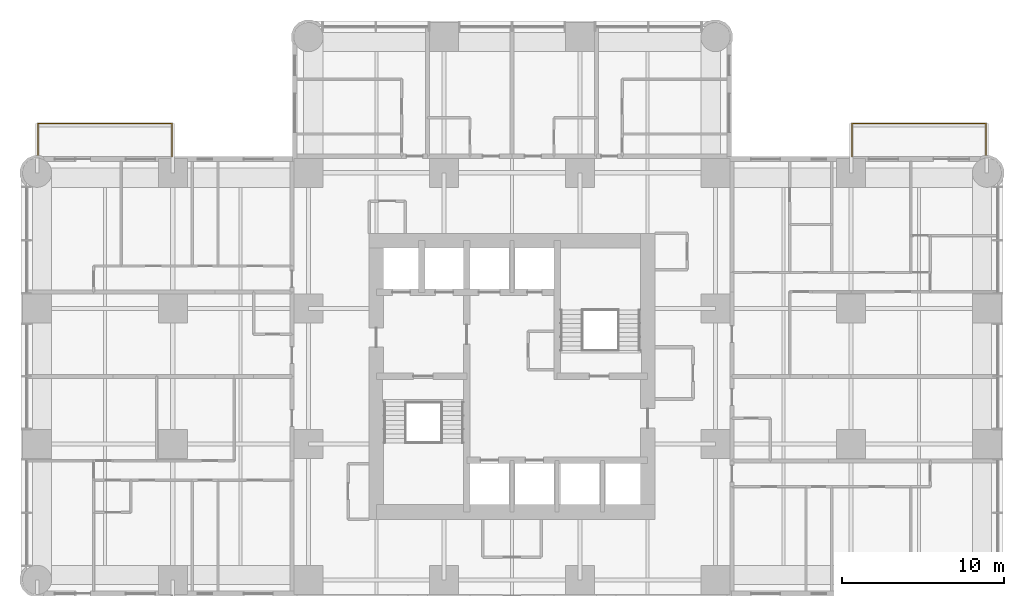
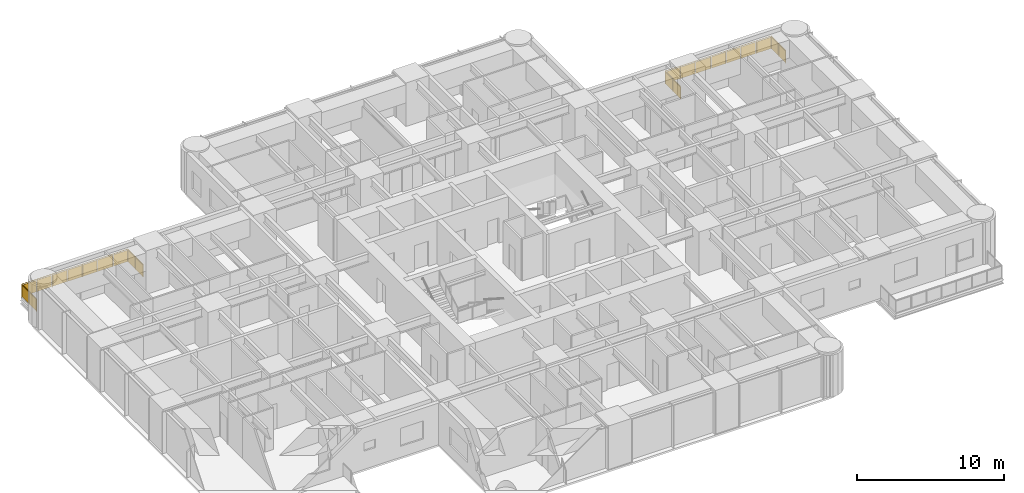
# One storey, part 14 of 14: 2 railings.
"""IFC4 building model written with IfcOpenShell, lengths in metres."""

from ifc_helpers import new_model, si_unit, direction, frame, origin, origin_2d, place, context, subcontext, project, spatial, polyline, circle, outline, extrude, material, constituent, constituent_set, type_object, element, save


model = new_model("IFC4")

# Units and contexts
model_context = context("Model", 3, precision=1e-05, world=origin(), true_north=direction((0.0, 1.0)))
body_context = subcontext(model_context, "Body", "Model", "MODEL_VIEW")
ifc_project = project(units=[si_unit("LENGTHUNIT", "METRE"), si_unit("AREAUNIT", "SQUARE_METRE"), si_unit("VOLUMEUNIT", "CUBIC_METRE"), si_unit("PLANEANGLEUNIT", "RADIAN"), si_unit("MASSUNIT", "GRAM", prefix="KILO")], contexts=[model_context])

# Site, building, storey
site_placement = place(None, origin())
site = spatial("IfcSite", under=ifc_project, at=site_placement, CompositionType="ELEMENT")
building_placement = place(site_placement, origin())
building = spatial("IfcBuilding", under=site, at=building_placement, Name="Torre Alcanfor", CompositionType="ELEMENT")
storey_placement = place(building_placement, frame((0.0, 0.0, 170.10009765625)))
storey = spatial("IfcBuildingStorey", under=building, at=storey_placement, Name="L44", CompositionType="ELEMENT", Elevation=170.10009765625)

# Railings
ifc_material_1 = material(Name="Laminated safety glass", Category="glass")
ifc_constituent_1 = constituent(ifc_material_1, Name="Infill")
ifc_material_2 = material(Name="Stainless steel ASTM A554 Grade MT 316L tube", Category="steel")
ifc_constituent_2 = constituent(ifc_material_2, Name="Posts and rail")
ifc_constituent_set = constituent_set(constituents=[ifc_constituent_1, ifc_constituent_2], Name="Balcony guard glass 1100")
railing_type = type_object("IfcRailingType", Name="Balcony guard glass 1100", PredefinedType="BALUSTRADE", material=ifc_constituent_set)
railing_1_placement = place(storey_placement, frame((50.449951171875, 43.0, 0.0)))
element("IfcRailing", 1, at=railing_1_placement, inside=storey, type_object=railing_type, Name="Balcony guard L44-E1", PredefinedType="BALUSTRADE", context=body_context, shape_type="SweptSolid", body=[
    extrude(circle(Radius=0.02392578125, at=origin_2d()), frame((0.0, 0.0, 1.076171875), z_axis=(0.0, 1.0, 0.0), x_axis=(-1.0, 0.0, 0.0)), (0.0, 0.0, 1.0), 2.050048828125),
    extrude(circle(Radius=0.02392578125, at=origin_2d()), frame((0.0, 2.050048828125, 1.076171875), z_axis=(1.0, 0.0, 0.0), x_axis=(0.0, 1.0, 0.0)), (0.0, 0.0, 1.0), 8.300048828125),
    extrude(circle(Radius=0.02392578125, at=origin_2d()), frame((8.300048828125, 2.050048828125, 1.076171875), z_axis=(0.0, -1.0, 0.0), x_axis=(1.0, 0.0, 0.0)), (0.0, 0.0, 1.0), 1.968994140625),
    extrude(circle(Radius=0.02099609375, at=origin_2d()), origin(), (0.0, 0.0, 1.0), 1.052001953125),
    extrude(circle(Radius=0.02099609375, at=origin_2d()), frame((0.0, 1.02490234375, 0.0)), (0.0, 0.0, 1.0), 1.052001953125),
    extrude(circle(Radius=0.02099609375, at=origin_2d()), frame((0.0, 2.050048828125, 0.0)), (0.0, 0.0, 1.0), 1.052001953125),
    extrude(circle(Radius=0.02099609375, at=origin_2d()), frame((1.185791015625, 2.050048828125, 0.0)), (0.0, 0.0, 1.0), 1.052001953125),
    extrude(circle(Radius=0.02099609375, at=origin_2d()), frame((2.371337890625, 2.050048828125, 0.0)), (0.0, 0.0, 1.0), 1.052001953125),
    extrude(circle(Radius=0.02099609375, at=origin_2d()), frame((3.55712890625, 2.050048828125, 0.0)), (0.0, 0.0, 1.0), 1.052001953125),
    extrude(circle(Radius=0.02099609375, at=origin_2d()), frame((4.742919921875, 2.050048828125, 0.0)), (0.0, 0.0, 1.0), 1.052001953125),
    extrude(circle(Radius=0.02099609375, at=origin_2d()), frame((5.9287109375, 2.050048828125, 0.0)), (0.0, 0.0, 1.0), 1.052001953125),
    extrude(circle(Radius=0.02099609375, at=origin_2d()), frame((7.1142578125, 2.050048828125, 0.0)), (0.0, 0.0, 1.0), 1.052001953125),
    extrude(circle(Radius=0.02099609375, at=origin_2d()), frame((8.300048828125, 2.050048828125, 0.0)), (0.0, 0.0, 1.0), 1.052001953125),
    extrude(circle(Radius=0.02099609375, at=origin_2d()), frame((8.300048828125, 1.0654296875, 0.0)), (0.0, 0.0, 1.0), 1.052001953125),
    extrude(circle(Radius=0.02099609375, at=origin_2d()), frame((8.300048828125, 0.0810546875, 0.0)), (0.0, 0.0, 1.0), 1.052001953125),
    extrude(outline(polyline([(0.041015625, 0.050048828125), (0.984130859375, 0.050048828125), (0.984130859375, 1.001953125), (0.041015625, 1.001953125), (0.041015625, 0.050048828125)])), frame((-0.005859375, 0.0, 0.0), z_axis=(1.0, 0.0, 0.0), x_axis=(0.0, 1.0, 0.0)), (0.0, 0.0, 1.0), 0.011962890625),
    extrude(outline(polyline([(1.06591796875, 0.050048828125), (2.009033203125, 0.050048828125), (2.009033203125, 1.001953125), (1.06591796875, 1.001953125), (1.06591796875, 0.050048828125)])), frame((-0.005859375, 0.0, 0.0), z_axis=(1.0, 0.0, 0.0), x_axis=(0.0, 1.0, 0.0)), (0.0, 0.0, 1.0), 0.011962890625),
    extrude(outline(polyline([(0.041015625, 0.050048828125), (1.144775390625, 0.050048828125), (1.144775390625, 1.001953125), (0.041015625, 1.001953125), (0.041015625, 0.050048828125)])), frame((0.0, 2.05615234375, 0.0), z_axis=(0.0, -1.0, 0.0), x_axis=(1.0, 0.0, 0.0)), (0.0, 0.0, 1.0), 0.011962890625),
    extrude(outline(polyline([(1.226806640625, 0.050048828125), (2.330322265625, 0.050048828125), (2.330322265625, 1.001953125), (1.226806640625, 1.001953125), (1.226806640625, 0.050048828125)])), frame((0.0, 2.05615234375, 0.0), z_axis=(0.0, -1.0, 0.0), x_axis=(1.0, 0.0, 0.0)), (0.0, 0.0, 1.0), 0.011962890625),
    extrude(outline(polyline([(2.412353515625, 0.050048828125), (3.51611328125, 0.050048828125), (3.51611328125, 1.001953125), (2.412353515625, 1.001953125), (2.412353515625, 0.050048828125)])), frame((0.0, 2.05615234375, 0.0), z_axis=(0.0, -1.0, 0.0), x_axis=(1.0, 0.0, 0.0)), (0.0, 0.0, 1.0), 0.011962890625),
    extrude(outline(polyline([(3.59814453125, 0.050048828125), (4.701904296875, 0.050048828125), (4.701904296875, 1.001953125), (3.59814453125, 1.001953125), (3.59814453125, 0.050048828125)])), frame((0.0, 2.05615234375, 0.0), z_axis=(0.0, -1.0, 0.0), x_axis=(1.0, 0.0, 0.0)), (0.0, 0.0, 1.0), 0.011962890625),
    extrude(outline(polyline([(4.783935546875, 0.050048828125), (5.8876953125, 0.050048828125), (5.8876953125, 1.001953125), (4.783935546875, 1.001953125), (4.783935546875, 0.050048828125)])), frame((0.0, 2.05615234375, 0.0), z_axis=(0.0, -1.0, 0.0), x_axis=(1.0, 0.0, 0.0)), (0.0, 0.0, 1.0), 0.011962890625),
    extrude(outline(polyline([(5.9697265625, 0.050048828125), (7.0732421875, 0.050048828125), (7.0732421875, 1.001953125), (5.9697265625, 1.001953125), (5.9697265625, 0.050048828125)])), frame((0.0, 2.05615234375, 0.0), z_axis=(0.0, -1.0, 0.0), x_axis=(1.0, 0.0, 0.0)), (0.0, 0.0, 1.0), 0.011962890625),
    extrude(outline(polyline([(7.1552734375, 0.050048828125), (8.259033203125, 0.050048828125), (8.259033203125, 1.001953125), (7.1552734375, 1.001953125), (7.1552734375, 0.050048828125)])), frame((0.0, 2.05615234375, 0.0), z_axis=(0.0, -1.0, 0.0), x_axis=(1.0, 0.0, 0.0)), (0.0, 0.0, 1.0), 0.011962890625),
    extrude(outline(polyline([(0.041015625, 0.050048828125), (0.943603515625, 0.050048828125), (0.943603515625, 1.001953125), (0.041015625, 1.001953125), (0.041015625, 0.050048828125)])), frame((8.30615234375, 2.050048828125, 0.0), z_axis=(-1.0, 0.0, 0.0), x_axis=(0.0, -1.0, 0.0)), (0.0, 0.0, 1.0), 0.011962890625),
    extrude(outline(polyline([(1.025390625, 0.050048828125), (1.927978515625, 0.050048828125), (1.927978515625, 1.001953125), (1.025390625, 1.001953125), (1.025390625, 0.050048828125)])), frame((8.30615234375, 2.050048828125, 0.0), z_axis=(-1.0, 0.0, 0.0), x_axis=(0.0, -1.0, 0.0)), (0.0, 0.0, 1.0), 0.011962890625),
])
railing_2_placement = place(storey_placement, frame((8.35009765625, 43.0, 0.0)))
element("IfcRailing", 2, at=railing_2_placement, inside=storey, type_object=railing_type, Name="Balcony guard L44-W2", PredefinedType="BALUSTRADE", context=body_context, shape_type="SweptSolid", body=[
    extrude(circle(Radius=0.02392578125, at=origin_2d()), frame((0.0, 0.0, 1.076171875), z_axis=(0.0, 1.0, 0.0), x_axis=(-1.0, 0.0, 0.0)), (0.0, 0.0, 1.0), 2.050048828125),
    extrude(circle(Radius=0.02392578125, at=origin_2d()), frame((0.0, 2.050048828125, 1.076171875), z_axis=(-1.0, 0.0, 0.0), x_axis=(0.0, -1.0, 0.0)), (0.0, 0.0, 1.0), 8.300048828125),
    extrude(circle(Radius=0.02392578125, at=origin_2d()), frame((-8.300048828125, 2.050048828125, 1.076171875), z_axis=(0.0, -1.0, 0.0), x_axis=(1.0, 0.0, 0.0)), (0.0, 0.0, 1.0), 1.968994140625),
    extrude(circle(Radius=0.02099609375, at=origin_2d()), origin(), (0.0, 0.0, 1.0), 1.052001953125),
    extrude(circle(Radius=0.02099609375, at=origin_2d()), frame((0.0, 1.02490234375, 0.0)), (0.0, 0.0, 1.0), 1.052001953125),
    extrude(circle(Radius=0.02099609375, at=origin_2d()), frame((0.0, 2.050048828125, 0.0)), (0.0, 0.0, 1.0), 1.052001953125),
    extrude(circle(Radius=0.02099609375, at=origin_2d()), frame((-1.185791015625, 2.050048828125, 0.0)), (0.0, 0.0, 1.0), 1.052001953125),
    extrude(circle(Radius=0.02099609375, at=origin_2d()), frame((-2.371337890625, 2.050048828125, 0.0)), (0.0, 0.0, 1.0), 1.052001953125),
    extrude(circle(Radius=0.02099609375, at=origin_2d()), frame((-3.55712890625, 2.050048828125, 0.0)), (0.0, 0.0, 1.0), 1.052001953125),
    extrude(circle(Radius=0.02099609375, at=origin_2d()), frame((-4.742919921875, 2.050048828125, 0.0)), (0.0, 0.0, 1.0), 1.052001953125),
    extrude(circle(Radius=0.02099609375, at=origin_2d()), frame((-5.9287109375, 2.050048828125, 0.0)), (0.0, 0.0, 1.0), 1.052001953125),
    extrude(circle(Radius=0.02099609375, at=origin_2d()), frame((-7.1142578125, 2.050048828125, 0.0)), (0.0, 0.0, 1.0), 1.052001953125),
    extrude(circle(Radius=0.02099609375, at=origin_2d()), frame((-8.300048828125, 2.050048828125, 0.0)), (0.0, 0.0, 1.0), 1.052001953125),
    extrude(circle(Radius=0.02099609375, at=origin_2d()), frame((-8.300048828125, 1.0654296875, 0.0)), (0.0, 0.0, 1.0), 1.052001953125),
    extrude(circle(Radius=0.02099609375, at=origin_2d()), frame((-8.300048828125, 0.0810546875, 0.0)), (0.0, 0.0, 1.0), 1.052001953125),
    extrude(outline(polyline([(0.041015625, 0.050048828125), (0.984130859375, 0.050048828125), (0.984130859375, 1.001953125), (0.041015625, 1.001953125), (0.041015625, 0.050048828125)])), frame((-0.005859375, 0.0, 0.0), z_axis=(1.0, 0.0, 0.0), x_axis=(0.0, 1.0, 0.0)), (0.0, 0.0, 1.0), 0.011962890625),
    extrude(outline(polyline([(1.06591796875, 0.050048828125), (2.009033203125, 0.050048828125), (2.009033203125, 1.001953125), (1.06591796875, 1.001953125), (1.06591796875, 0.050048828125)])), frame((-0.005859375, 0.0, 0.0), z_axis=(1.0, 0.0, 0.0), x_axis=(0.0, 1.0, 0.0)), (0.0, 0.0, 1.0), 0.011962890625),
    extrude(outline(polyline([(0.041015625, 0.050048828125), (1.144775390625, 0.050048828125), (1.144775390625, 1.001953125), (0.041015625, 1.001953125), (0.041015625, 0.050048828125)])), frame((0.0, 2.0439453125, 0.0), z_axis=(0.0, 1.0, 0.0), x_axis=(-1.0, 0.0, 0.0)), (0.0, 0.0, 1.0), 0.011962890625),
    extrude(outline(polyline([(1.226806640625, 0.050048828125), (2.330322265625, 0.050048828125), (2.330322265625, 1.001953125), (1.226806640625, 1.001953125), (1.226806640625, 0.050048828125)])), frame((0.0, 2.0439453125, 0.0), z_axis=(0.0, 1.0, 0.0), x_axis=(-1.0, 0.0, 0.0)), (0.0, 0.0, 1.0), 0.011962890625),
    extrude(outline(polyline([(2.412353515625, 0.050048828125), (3.51611328125, 0.050048828125), (3.51611328125, 1.001953125), (2.412353515625, 1.001953125), (2.412353515625, 0.050048828125)])), frame((0.0, 2.0439453125, 0.0), z_axis=(0.0, 1.0, 0.0), x_axis=(-1.0, 0.0, 0.0)), (0.0, 0.0, 1.0), 0.011962890625),
    extrude(outline(polyline([(3.59814453125, 0.050048828125), (4.701904296875, 0.050048828125), (4.701904296875, 1.001953125), (3.59814453125, 1.001953125), (3.59814453125, 0.050048828125)])), frame((0.0, 2.0439453125, 0.0), z_axis=(0.0, 1.0, 0.0), x_axis=(-1.0, 0.0, 0.0)), (0.0, 0.0, 1.0), 0.011962890625),
    extrude(outline(polyline([(4.783935546875, 0.050048828125), (5.8876953125, 0.050048828125), (5.8876953125, 1.001953125), (4.783935546875, 1.001953125), (4.783935546875, 0.050048828125)])), frame((0.0, 2.0439453125, 0.0), z_axis=(0.0, 1.0, 0.0), x_axis=(-1.0, 0.0, 0.0)), (0.0, 0.0, 1.0), 0.011962890625),
    extrude(outline(polyline([(5.9697265625, 0.050048828125), (7.0732421875, 0.050048828125), (7.0732421875, 1.001953125), (5.9697265625, 1.001953125), (5.9697265625, 0.050048828125)])), frame((0.0, 2.0439453125, 0.0), z_axis=(0.0, 1.0, 0.0), x_axis=(-1.0, 0.0, 0.0)), (0.0, 0.0, 1.0), 0.011962890625),
    extrude(outline(polyline([(7.1552734375, 0.050048828125), (8.259033203125, 0.050048828125), (8.259033203125, 1.001953125), (7.1552734375, 1.001953125), (7.1552734375, 0.050048828125)])), frame((0.0, 2.0439453125, 0.0), z_axis=(0.0, 1.0, 0.0), x_axis=(-1.0, 0.0, 0.0)), (0.0, 0.0, 1.0), 0.011962890625),
    extrude(outline(polyline([(0.041015625, 0.050048828125), (0.943603515625, 0.050048828125), (0.943603515625, 1.001953125), (0.041015625, 1.001953125), (0.041015625, 0.050048828125)])), frame((-8.2939453125, 2.050048828125, 0.0), z_axis=(-1.0, 0.0, 0.0), x_axis=(0.0, -1.0, 0.0)), (0.0, 0.0, 1.0), 0.011962890625),
    extrude(outline(polyline([(1.025390625, 0.050048828125), (1.927978515625, 0.050048828125), (1.927978515625, 1.001953125), (1.025390625, 1.001953125), (1.025390625, 0.050048828125)])), frame((-8.2939453125, 2.050048828125, 0.0), z_axis=(-1.0, 0.0, 0.0), x_axis=(0.0, -1.0, 0.0)), (0.0, 0.0, 1.0), 0.011962890625),
])

save(model, "model.ifc")
